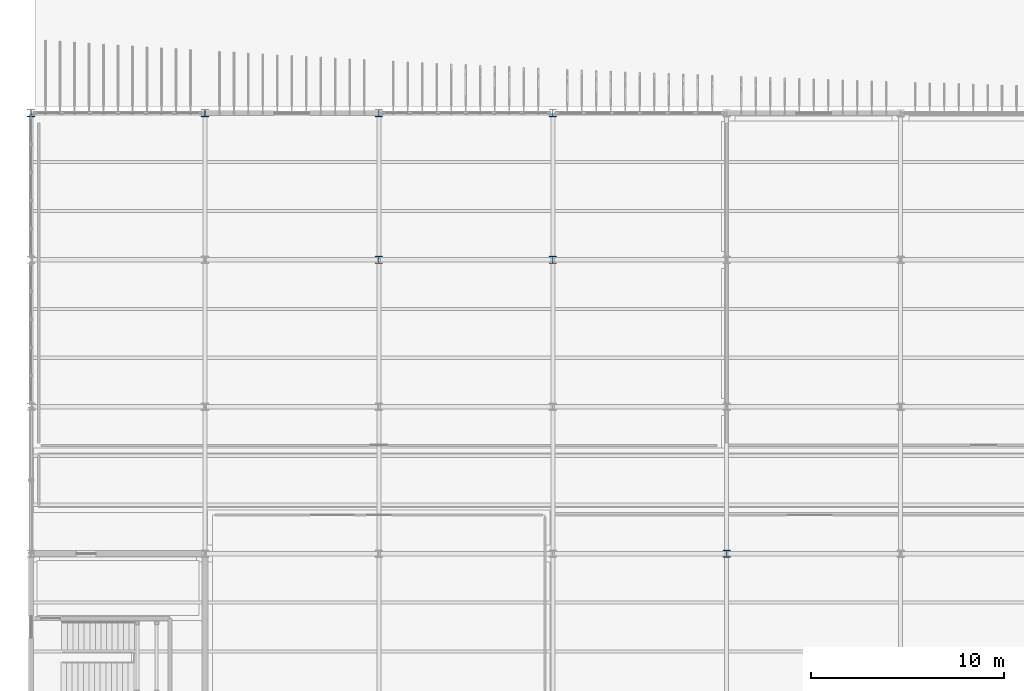
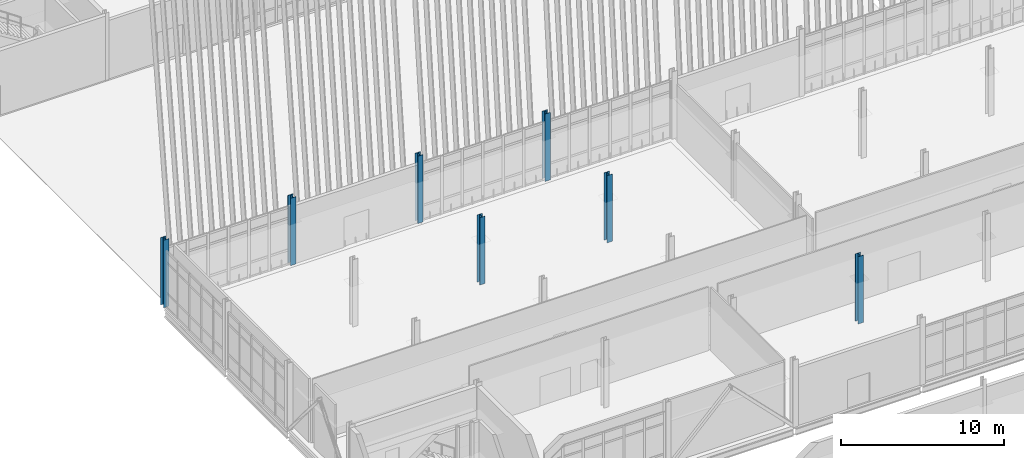
# One storey, part 7 of 161: 7 columns.
"""IFC4 building model written with IfcOpenShell, lengths in metres."""

from ifc_helpers import new_model, si_unit, direction, frame, origin, origin_2d, place, context, subcontext, project, spatial, i_section, extrude, material, material_profile, profile_set, type_object, element, save


model = new_model("IFC4")

# Units and contexts
model_context = context("Model", 3, precision=1e-05, world=origin(), true_north=direction((0.0, 1.0)))
body_context = subcontext(model_context, "Body", "Model", "MODEL_VIEW")
ifc_project = project(units=[si_unit("LENGTHUNIT", "METRE"), si_unit("AREAUNIT", "SQUARE_METRE"), si_unit("VOLUMEUNIT", "CUBIC_METRE"), si_unit("PLANEANGLEUNIT", "RADIAN"), si_unit("MASSUNIT", "GRAM", prefix="KILO")], contexts=[model_context])

# Site, building, storey
site_placement = place(None, origin())
site = spatial("IfcSite", under=ifc_project, at=site_placement, CompositionType="ELEMENT")
building_placement = place(site_placement, origin())
building = spatial("IfcBuilding", under=site, at=building_placement, Name="Caisbarro Railhouse Central Library", CompositionType="ELEMENT")
storey_placement = place(building_placement, origin())
storey = spatial("IfcBuildingStorey", under=building, at=storey_placement, Name="L00", CompositionType="ELEMENT", Elevation=0.0)

# Columns
ifc_material = material(Name="Steel ASTM A572 Grade 50", Category="steel")
ifc_material_profile = material_profile(ifc_material, i_section(OverallWidth=0.37109375, OverallDepth=0.364013671875, WebThickness=0.01318359375, FlangeThickness=0.021728515625, FilletRadius=0.01806640625, at=origin_2d()), Name="W360X162.0")
ifc_profile_set = profile_set([ifc_material_profile], Name="Steel ASTM A572 Grade 50")
column_type = type_object("IfcColumnType", Name="COL-C02", PredefinedType="COLUMN", material=ifc_profile_set)
for number, where, z_axis, x_axis, name in (
    (1, (0.0, 60.800048828125, 0.0), (0.0, 0.0, 1.0), (1.0, 0.0, 0.0), "C02 column L00 (0.0,60.8)"),
    (2, (9.0, 60.800048828125, 0.0), (0.0, 0.0, 1.0), (1.0, 0.0, 0.0), "C02 column L00 (9.0,60.8)"),
    (3, (18.0, 53.199951171875, 0.0), (0.0, 0.0, 1.0), (1.0, 0.0, 0.0), "C02 column L00 (18.0,53.2)"),
    (4, (18.0, 60.800048828125, 0.0), (0.0, 0.0, 1.0), (1.0, 0.0, 0.0), "C02 column L00 (18.0,60.8)"),
    (5, (27.0, 53.199951171875, 0.0), (0.0, 0.0, 1.0), (1.0, 0.0, 0.0), "C02 column L00 (27.0,53.2)"),
    (6, (27.0, 60.800048828125, 0.0), (0.0, 0.0, 1.0), (1.0, 0.0, 0.0), "C02 column L00 (27.0,60.8)"),
    (7, (36.0, 38.0, 0.0), (0.0, 0.0, 1.0), (1.0, 0.0, 0.0), "C02 column L00 (36.0,38.0)"),
):
    element("IfcColumn", number, at=place(storey_placement, frame(where, z_axis=z_axis, x_axis=x_axis)), inside=storey, type_object=column_type, Name=name, PredefinedType="COLUMN", context=body_context, shape_type="SweptSolid", body=[
        extrude(i_section(OverallWidth=0.37109375, OverallDepth=0.364013671875, WebThickness=0.01318359375, FlangeThickness=0.021728515625, FilletRadius=0.01806640625, at=origin_2d()), origin(), (0.0, 0.0, 1.0), 5.0400390625),
    ])

save(model, "model.ifc")
